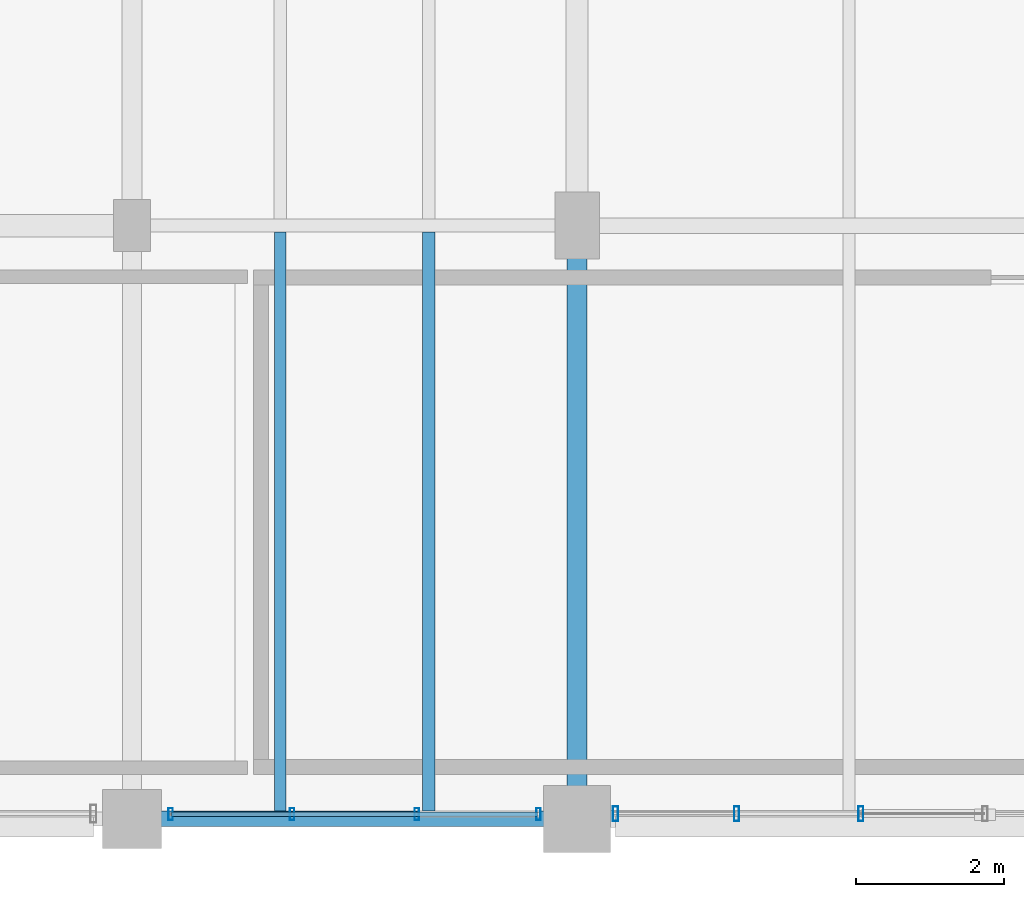
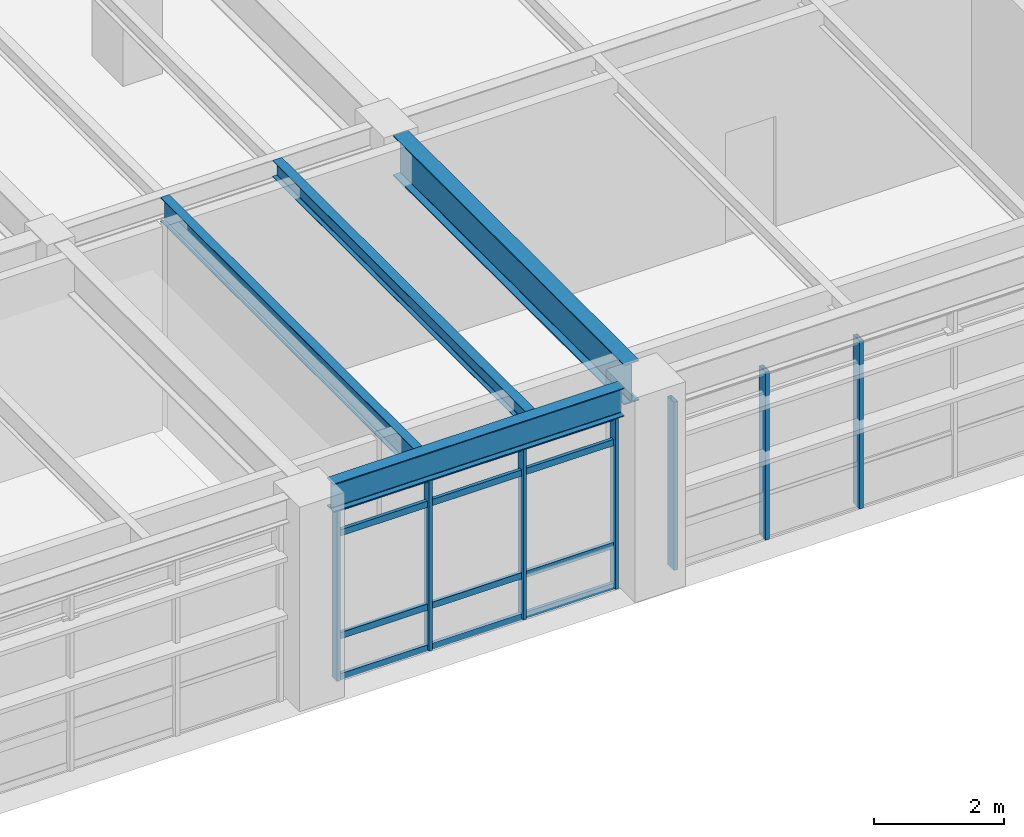
# One storey, part 13 of 26: 11 members, 4 beams, 2 elements without a shape of their own.
"""IFC4 building model written with IfcOpenShell, lengths in metres."""

from ifc_helpers import new_model, si_unit, direction, frame, origin, origin_2d, place, context, subcontext, project, spatial, hollow_rectangle, i_section, extrude, material, material_profile, profile_set, type_object, element, aggregate, save


model = new_model("IFC4")

# Units and contexts
model_context = context("Model", 3, precision=1e-05, world=origin(), true_north=direction((0.0, 1.0)))
body_context = subcontext(model_context, "Body", "Model", "MODEL_VIEW")
ifc_project = project(units=[si_unit("LENGTHUNIT", "METRE"), si_unit("AREAUNIT", "SQUARE_METRE"), si_unit("VOLUMEUNIT", "CUBIC_METRE"), si_unit("PLANEANGLEUNIT", "RADIAN"), si_unit("MASSUNIT", "GRAM", prefix="KILO"), si_unit("THERMODYNAMICTEMPERATUREUNIT", "KELVIN"), si_unit("POWERUNIT", "WATT")], contexts=[model_context])

# Site, building, storey
site_placement = place(None, origin())
site = spatial("IfcSite", under=ifc_project, at=site_placement, CompositionType="ELEMENT")
building_placement = place(site_placement, origin())
building = spatial("IfcBuilding", under=site, at=building_placement, Name="Tepalcoro Natatorium and Aquatics Centre", CompositionType="ELEMENT")
storey_placement = place(building_placement, frame((0.0, 0.0, 19.0)))
storey = spatial("IfcBuildingStorey", under=building, at=storey_placement, Name="L04", CompositionType="ELEMENT", Elevation=19.0)

# Beam
ifc_material_1 = material(Name="Steel ASTM A992 Grade 50 (Fy 345 MPa)", Category="steel")
ifc_material_profile_1 = material_profile(ifc_material_1, i_section(OverallWidth=0.26708984375, OverallDepth=0.761962890625, WebThickness=0.013916015625, FlangeThickness=0.02197265625, FilletRadius=0.013916015625, at=origin_2d()), Name="W30X116")
ifc_profile_set_1 = profile_set([ifc_material_profile_1], Name="Steel ASTM A992 Grade 50 (Fy 345 MPa)")
beam_type_1 = type_object("IfcBeamType", Name="BM_W30x116", PredefinedType="BEAM", material=ifc_profile_set_1)
beam_1_placement = place(storey_placement, frame((165.0, 94.43505859375, 3.4541015625), z_axis=(0.0, 1.0, 0.0), x_axis=(-1.0, 0.0, 0.0)))
element("IfcBeam", 1, at=beam_1_placement, inside=storey, type_object=beam_type_1, Name="V5 L04 Grid Girder Y", PredefinedType="BEAM", context=body_context, shape_type="SweptSolid", body=[
    extrude(i_section(OverallWidth=0.26708984375, OverallDepth=0.761962890625, WebThickness=0.013916015625, FlangeThickness=0.02197265625, FilletRadius=0.013916015625, at=origin_2d()), origin(), (0.0, 0.0, 1.0), 7.1298828125),
])

# Curtain wall, members
ifc_material_2 = material(Name="Bronze-Anodised Extruded Aluminium Alloy EN AW-6063 T6", Category="aluminium")
curtain_wall_type_1 = type_object("IfcCurtainWallType", Name="CW_LEAN_T1_NS", PredefinedType="USERDEFINED", material=ifc_material_2)
curtain_wall_1_placement = place(storey_placement, origin())
curtain_wall_1 = element("IfcCurtainWall", 2, at=curtain_wall_1_placement, inside=storey, type_object=curtain_wall_type_1, Name="V5 L04 S Unitised Curtain Wall Bay 6", ObjectType="FACETED SOLAR GLAZING", PredefinedType="USERDEFINED")
ifc_material_profile_2 = material_profile(ifc_material_2, hollow_rectangle(XDim=0.06005859375, YDim=0.159912109375, WallThickness=0.00390625, at=origin_2d()), Name="AL60X160X4")
ifc_profile_set_2 = profile_set([ifc_material_profile_2], Name="Bronze-Anodised Extruded Aluminium Alloy EN AW-6063 T6")
member_type_1 = type_object("IfcMemberType", Name="CW_MUL_60x160", PredefinedType="MULLION", material=ifc_profile_set_2)
member_1_placement = place(storey_placement, frame((159.52001953125, 94.06494140625, 0.02001953125), z_axis=(0.0, 0.0, 1.0), x_axis=(1.0, 0.0, 0.0)))
member_1 = element("IfcMember", 3, at=member_1_placement, type_object=member_type_1, Name="CW_LEAN_T1_NS Curtain Wall Mullion", PredefinedType="MULLION", context=body_context, shape_type="SweptSolid", body=[
    extrude(hollow_rectangle(XDim=0.06005859375, YDim=0.159912109375, WallThickness=0.00390625, at=origin_2d()), origin(), (0.0, 0.0, 1.0), 3.243896484375),
])
member_2_placement = place(storey_placement, frame((161.159912109375, 94.06494140625, 0.02001953125), z_axis=(0.0, 0.0, 1.0), x_axis=(1.0, 0.0, 0.0)))
member_2 = element("IfcMember", 4, at=member_2_placement, type_object=member_type_1, Name="CW_LEAN_T1_NS Curtain Wall Mullion", PredefinedType="MULLION", context=body_context, shape_type="SweptSolid", body=[
    extrude(hollow_rectangle(XDim=0.06005859375, YDim=0.159912109375, WallThickness=0.00390625, at=origin_2d()), origin(), (0.0, 0.0, 1.0), 3.243896484375),
])
member_3_placement = place(storey_placement, frame((162.840087890625, 94.06494140625, 0.02001953125), z_axis=(0.0, 0.0, 1.0), x_axis=(1.0, 0.0, 0.0)))
member_3 = element("IfcMember", 5, at=member_3_placement, type_object=member_type_1, Name="CW_LEAN_T1_NS Curtain Wall Mullion", PredefinedType="MULLION", context=body_context, shape_type="SweptSolid", body=[
    extrude(hollow_rectangle(XDim=0.06005859375, YDim=0.159912109375, WallThickness=0.00390625, at=origin_2d()), origin(), (0.0, 0.0, 1.0), 3.243896484375),
])
member_4_placement = place(storey_placement, frame((164.47998046875, 94.06494140625, 0.02001953125), z_axis=(0.0, 0.0, 1.0), x_axis=(1.0, 0.0, 0.0)))
member_4 = element("IfcMember", 6, at=member_4_placement, type_object=member_type_1, Name="CW_LEAN_T1_NS Curtain Wall Mullion", PredefinedType="MULLION", context=body_context, shape_type="SweptSolid", body=[
    extrude(hollow_rectangle(XDim=0.06005859375, YDim=0.159912109375, WallThickness=0.00390625, at=origin_2d()), origin(), (0.0, 0.0, 1.0), 3.243896484375),
])

curtain_wall_type_2 = type_object("IfcCurtainWallType", Name="CW_LEAN_T1_EW", PredefinedType="USERDEFINED", material=ifc_material_2)
curtain_wall_2_placement = place(storey_placement, origin())
curtain_wall_2 = element("IfcCurtainWall", 7, at=curtain_wall_2_placement, inside=storey, type_object=curtain_wall_type_2, Name="V5 L04 S Unitised Curtain Wall Bay 7", ObjectType="FACETED SOLAR GLAZING", PredefinedType="USERDEFINED")
ifc_material_profile_3 = material_profile(ifc_material_2, hollow_rectangle(XDim=0.070068359375, YDim=0.199951171875, WallThickness=0.0048828125, at=origin_2d()), Name="AL70X200X5")
ifc_profile_set_3 = profile_set([ifc_material_profile_3], Name="Bronze-Anodised Extruded Aluminium Alloy EN AW-6063 T6")
member_type_2 = type_object("IfcMemberType", Name="CW_MUL_70x200", PredefinedType="MULLION", material=ifc_profile_set_3)
member_5_placement = place(storey_placement, frame((165.52001953125, 94.0712890625, 0.02001953125), z_axis=(0.0, 0.0, 1.0), x_axis=(1.0, 0.0, 0.0)))
member_5 = element("IfcMember", 8, at=member_5_placement, type_object=member_type_2, Name="CW_LEAN_T1_EW Curtain Wall Mullion", PredefinedType="MULLION", context=body_context, shape_type="SweptSolid", body=[
    extrude(hollow_rectangle(XDim=0.070068359375, YDim=0.199951171875, WallThickness=0.0048828125, at=origin_2d()), origin(), (0.0, 0.0, 1.0), 3.16796875),
])
member_6_placement = place(storey_placement, frame((167.1533203125, 94.0712890625, 0.02001953125), z_axis=(0.0, 0.0, 1.0), x_axis=(1.0, 0.0, 0.0)))
member_6 = element("IfcMember", 9, at=member_6_placement, type_object=member_type_2, Name="CW_LEAN_T1_EW Curtain Wall Mullion", PredefinedType="MULLION", context=body_context, shape_type="SweptSolid", body=[
    extrude(hollow_rectangle(XDim=0.070068359375, YDim=0.199951171875, WallThickness=0.0048828125, at=origin_2d()), origin(), (0.0, 0.0, 1.0), 3.16796875),
])
member_7_placement = place(storey_placement, frame((168.82666015625, 94.0712890625, 0.02001953125), z_axis=(0.0, 0.0, 1.0), x_axis=(1.0, 0.0, 0.0)))
member_7 = element("IfcMember", 10, at=member_7_placement, type_object=member_type_2, Name="CW_LEAN_T1_EW Curtain Wall Mullion", PredefinedType="MULLION", context=body_context, shape_type="SweptSolid", body=[
    extrude(hollow_rectangle(XDim=0.070068359375, YDim=0.199951171875, WallThickness=0.0048828125, at=origin_2d()), origin(), (0.0, 0.0, 1.0), 3.16796875),
])
aggregate(curtain_wall_2, [member_5, member_6, member_7])

# Member
ifc_material_profile_4 = material_profile(ifc_material_2, hollow_rectangle(XDim=0.06005859375, YDim=0.1201171875, WallThickness=0.00390625, at=origin_2d()), Name="AL60X120X4")
ifc_profile_set_4 = profile_set([ifc_material_profile_4], Name="Bronze-Anodised Extruded Aluminium Alloy EN AW-6063 T6")
member_type_3 = type_object("IfcMemberType", Name="CW_TRN_60x120", PredefinedType="USERDEFINED", material=ifc_profile_set_4)
member_8_placement = place(storey_placement, frame((159.530029296875, 94.06494140625, 0.050048828125), z_axis=(1.0, 0.0, 0.0), x_axis=(0.0, 1.0, 0.0)))
member_8 = element("IfcMember", 11, at=member_8_placement, type_object=member_type_3, Name="CW_LEAN_T1_NS Curtain Wall Transom", ObjectType="TRANSOM", PredefinedType="USERDEFINED", context=body_context, shape_type="SweptSolid", body=[
    extrude(hollow_rectangle(XDim=0.06005859375, YDim=0.1201171875, WallThickness=0.00390625, at=origin_2d()), origin(), (0.0, 0.0, 1.0), 4.93994140625),
])

member_9_placement = place(storey_placement, frame((159.530029296875, 94.06494140625, 0.821044921875), z_axis=(1.0, 0.0, 0.0), x_axis=(0.0, 1.0, 0.0)))
member_9 = element("IfcMember", 12, at=member_9_placement, type_object=member_type_3, Name="CW_LEAN_T1_NS Curtain Wall Transom", ObjectType="TRANSOM", PredefinedType="USERDEFINED", context=body_context, shape_type="SweptSolid", body=[
    extrude(hollow_rectangle(XDim=0.06005859375, YDim=0.1201171875, WallThickness=0.00390625, at=origin_2d()), origin(), (0.0, 0.0, 1.0), 4.93994140625),
])

member_10_placement = place(storey_placement, frame((159.530029296875, 94.06494140625, 2.758544921875), z_axis=(1.0, 0.0, 0.0), x_axis=(0.0, 1.0, 0.0)))
member_10 = element("IfcMember", 13, at=member_10_placement, type_object=member_type_3, Name="CW_LEAN_T1_NS Curtain Wall Transom", ObjectType="TRANSOM", PredefinedType="USERDEFINED", context=body_context, shape_type="SweptSolid", body=[
    extrude(hollow_rectangle(XDim=0.06005859375, YDim=0.1201171875, WallThickness=0.00390625, at=origin_2d()), origin(), (0.0, 0.0, 1.0), 4.93994140625),
])

member_11_placement = place(storey_placement, frame((159.530029296875, 94.06494140625, 3.23388671875), z_axis=(1.0, 0.0, 0.0), x_axis=(0.0, 1.0, 0.0)))
member_11 = element("IfcMember", 14, at=member_11_placement, type_object=member_type_3, Name="CW_LEAN_T1_NS Curtain Wall Transom", ObjectType="TRANSOM", PredefinedType="USERDEFINED", context=body_context, shape_type="SweptSolid", body=[
    extrude(hollow_rectangle(XDim=0.06005859375, YDim=0.1201171875, WallThickness=0.00390625, at=origin_2d()), origin(), (0.0, 0.0, 1.0), 4.93994140625),
])

aggregate(curtain_wall_1, [member_1, member_2, member_3, member_4, member_8, member_9, member_10, member_11])

# Beams
ifc_material_profile_5 = material_profile(ifc_material_1, i_section(OverallWidth=0.1650390625, OverallDepth=0.31005859375, WebThickness=0.006103515625, FlangeThickness=0.010009765625, FilletRadius=0.013916015625, at=origin_2d()), Name="W12X26")
ifc_profile_set_5 = profile_set([ifc_material_profile_5], Name="Steel ASTM A992 Grade 50 (Fy 345 MPa)")
beam_type_2 = type_object("IfcBeamType", Name="JS_W12x26", PredefinedType="JOIST", material=ifc_profile_set_5)
beam_2_placement = place(storey_placement, frame((163.0, 94.10498046875, 3.679931640625), z_axis=(0.0, 1.0, 0.0), x_axis=(-1.0, 0.0, 0.0)))
element("IfcBeam", 15, at=beam_2_placement, inside=storey, type_object=beam_type_2, Name="V5 L04 Floor Joist", PredefinedType="JOIST", context=body_context, shape_type="SweptSolid", body=[
    extrude(i_section(OverallWidth=0.1650390625, OverallDepth=0.31005859375, WebThickness=0.006103515625, FlangeThickness=0.010009765625, FilletRadius=0.013916015625, at=origin_2d()), origin(), (0.0, 0.0, 1.0), 7.805908203125),
])
ifc_material_profile_6 = material_profile(ifc_material_1, i_section(OverallWidth=0.153076171875, OverallDepth=0.455078125, WebThickness=0.008056640625, FlangeThickness=0.012939453125, FilletRadius=0.013916015625, at=origin_2d()), Name="W18X40")
ifc_profile_set_6 = profile_set([ifc_material_profile_6], Name="Steel ASTM A992 Grade 50 (Fy 345 MPa)")
beam_type_3 = type_object("IfcBeamType", Name="JS_W18x40", PredefinedType="JOIST", material=ifc_profile_set_6)
beam_3_placement = place(storey_placement, frame((161.0, 94.10498046875, 3.607421875), z_axis=(0.0, 1.0, 0.0), x_axis=(-1.0, 0.0, 0.0)))
element("IfcBeam", 16, at=beam_3_placement, inside=storey, type_object=beam_type_3, Name="V5 L04 Floor Joist", PredefinedType="JOIST", context=body_context, shape_type="SweptSolid", body=[
    extrude(i_section(OverallWidth=0.153076171875, OverallDepth=0.455078125, WebThickness=0.008056640625, FlangeThickness=0.012939453125, FilletRadius=0.013916015625, at=origin_2d()), origin(), (0.0, 0.0, 1.0), 7.805908203125),
])
ifc_material_profile_7 = material_profile(ifc_material_1, i_section(OverallWidth=0.2099609375, OverallDepth=0.535888671875, WebThickness=0.010986328125, FlangeThickness=0.01708984375, FilletRadius=0.013916015625, at=origin_2d()), Name="W21X68")
ifc_profile_set_7 = profile_set([ifc_material_profile_7], Name="Steel ASTM A992 Grade 50 (Fy 345 MPa)")
beam_type_4 = type_object("IfcBeamType", Name="SP_W21x68", PredefinedType="SPANDREL", material=ifc_profile_set_7)
beam_4_placement = place(storey_placement, frame((159.385009765625, 94.0, 3.56689453125), z_axis=(1.0, 0.0, 0.0), x_axis=(0.0, 1.0, 0.0)))
element("IfcBeam", 17, at=beam_4_placement, inside=storey, type_object=beam_type_4, Name="V5 L04 Grid Girder X", PredefinedType="SPANDREL", context=body_context, shape_type="SweptSolid", body=[
    extrude(i_section(OverallWidth=0.2099609375, OverallDepth=0.535888671875, WebThickness=0.010986328125, FlangeThickness=0.01708984375, FilletRadius=0.013916015625, at=origin_2d()), origin(), (0.0, 0.0, 1.0), 5.179931640625),
])

save(model, "model.ifc")
